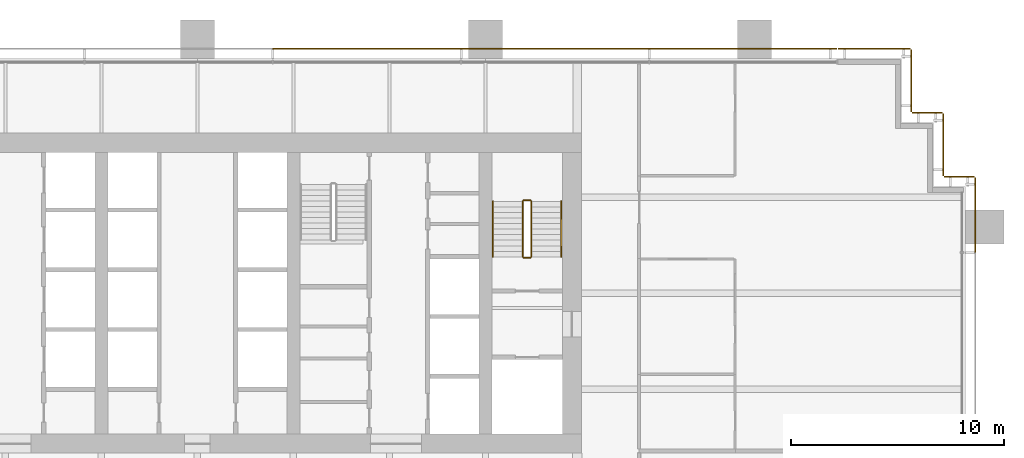
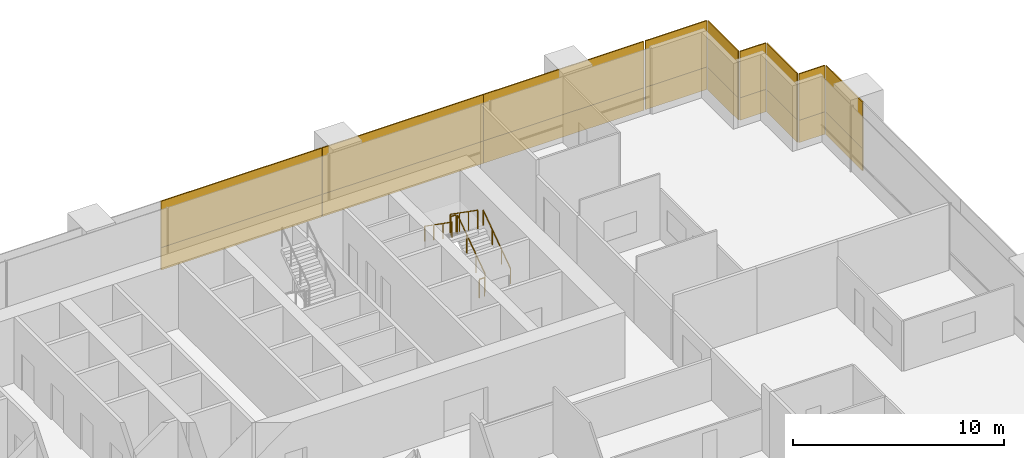
# One storey, part 19 of 19: 18 coverings, 6 railings.
"""IFC4 building model written with IfcOpenShell, lengths in metres."""

from ifc_helpers import new_model, si_unit, direction, frame, origin, origin_2d, place, context, subcontext, project, spatial, rectangle, extrude, material, layer, layer_set, type_object, element, save


model = new_model("IFC4")

# Units and contexts
model_context = context("Model", 3, precision=1e-05, world=origin(), true_north=direction((0.0, 1.0)))
body_context = subcontext(model_context, "Body", "Model", "MODEL_VIEW")
ifc_project = project(units=[si_unit("LENGTHUNIT", "METRE"), si_unit("AREAUNIT", "SQUARE_METRE"), si_unit("VOLUMEUNIT", "CUBIC_METRE"), si_unit("PLANEANGLEUNIT", "RADIAN"), si_unit("MASSUNIT", "GRAM", prefix="KILO")], contexts=[model_context])

# Site, building, storey
site_placement = place(None, origin())
site = spatial("IfcSite", under=ifc_project, at=site_placement, CompositionType="ELEMENT")
building_placement = place(site_placement, origin())
building = spatial("IfcBuilding", under=site, at=building_placement, Name="Rattan Terrace Tower", CompositionType="ELEMENT")
storey_placement = place(building_placement, frame((0.0, 0.0, 99.699951171875)))
storey = spatial("IfcBuildingStorey", under=building, at=storey_placement, Name="L22", CompositionType="ELEMENT", Elevation=99.699951171875)

# Railings
ifc_material_1 = material(Name="Powder-coated steel guard", Category="steel")
railing_type_1 = type_object("IfcRailingType", Name="Core stair guard", PredefinedType="GUARDRAIL", material=ifc_material_1)
railing_1_placement = place(storey_placement, frame((15.64990234375, 1.699951171875, 0.181884765625)))
element("IfcRailing", 1, at=railing_1_placement, inside=storey, type_object=railing_type_1, Name="L22 S2 stair guard 1", PredefinedType="GUARDRAIL", context=body_context, shape_type="SweptSolid", body=[
    extrude(rectangle(XDim=0.048095703125, YDim=0.048095703125, at=origin_2d()), frame((0.0, 0.0, 1.076171875), z_axis=(0.0, 0.819521025635, 0.573049115296), x_axis=(-1.0, 0.0, 0.0)), (0.0, 0.0, 1.0), 3.172607421875),
    extrude(rectangle(XDim=0.0419921875, YDim=0.0419921875, at=origin_2d()), origin(), (0.0, 0.0, 1.0), 1.052001953125),
    extrude(rectangle(XDim=0.0419921875, YDim=0.0419921875, at=origin_2d()), frame((0.0, 0.86669921875, 0.60595703125)), (0.0, 0.0, 1.0), 1.052001953125),
    extrude(rectangle(XDim=0.0419921875, YDim=0.0419921875, at=origin_2d()), frame((0.0, 1.7333984375, 1.212158203125)), (0.0, 0.0, 1.0), 1.052001953125),
    extrude(rectangle(XDim=0.0419921875, YDim=0.0419921875, at=origin_2d()), frame((0.0, 2.60009765625, 1.818115234375)), (0.0, 0.0, 1.0), 1.052001953125),
])
railing_2_placement = place(storey_placement, frame((15.60009765625, 4.35009765625, 2.0)))
element("IfcRailing", 2, at=railing_2_placement, inside=storey, type_object=railing_type_1, Name="L22 S2 stair guard 2", PredefinedType="GUARDRAIL", context=body_context, shape_type="SweptSolid", body=[
    extrude(rectangle(XDim=0.048095703125, YDim=0.048095703125, at=origin_2d()), frame((0.0, 0.0, 1.076171875), z_axis=(-1.0, 0.0, 0.0), x_axis=(0.0, -1.0, 0.0)), (0.0, 0.0, 1.0), 0.300048828125),
    extrude(rectangle(XDim=0.0419921875, YDim=0.0419921875, at=origin_2d()), origin(), (0.0, 0.0, 1.0), 1.052001953125),
    extrude(rectangle(XDim=0.0419921875, YDim=0.0419921875, at=origin_2d()), frame((-0.300048828125, 0.0, 0.0)), (0.0, 0.0, 1.0), 1.052001953125),
])
railing_3_placement = place(storey_placement, frame((15.25, 4.300048828125, 2.181884765625)))
element("IfcRailing", 3, at=railing_3_placement, inside=storey, type_object=railing_type_1, Name="L22 S2 stair guard 3", PredefinedType="GUARDRAIL", context=body_context, shape_type="SweptSolid", body=[
    extrude(rectangle(XDim=0.048095703125, YDim=0.048095703125, at=origin_2d()), frame((0.0, 0.0, 1.076171875), z_axis=(0.0, -0.819521025635, 0.573049115296), x_axis=(1.0, 0.0, 0.0)), (0.0, 0.0, 1.0), 3.172607421875),
    extrude(rectangle(XDim=0.0419921875, YDim=0.0419921875, at=origin_2d()), origin(), (0.0, 0.0, 1.0), 1.052001953125),
    extrude(rectangle(XDim=0.0419921875, YDim=0.0419921875, at=origin_2d()), frame((0.0, -0.86669921875, 0.60595703125)), (0.0, 0.0, 1.0), 1.052001953125),
    extrude(rectangle(XDim=0.0419921875, YDim=0.0419921875, at=origin_2d()), frame((0.0, -1.7333984375, 1.212158203125)), (0.0, 0.0, 1.0), 1.052001953125),
    extrude(rectangle(XDim=0.0419921875, YDim=0.0419921875, at=origin_2d()), frame((0.0, -2.60009765625, 1.818115234375)), (0.0, 0.0, 1.0), 1.052001953125),
])
railing_4_placement = place(storey_placement, frame((15.60009765625, 1.64990234375, 0.0)))
element("IfcRailing", 4, at=railing_4_placement, inside=storey, type_object=railing_type_1, Name="L22 S2 stair guard 4", PredefinedType="GUARDRAIL", context=body_context, shape_type="SweptSolid", body=[
    extrude(rectangle(XDim=0.048095703125, YDim=0.048095703125, at=origin_2d()), frame((0.0, 0.0, 1.076171875), z_axis=(-1.0, 0.0, 0.0), x_axis=(0.0, -1.0, 0.0)), (0.0, 0.0, 1.0), 0.300048828125),
    extrude(rectangle(XDim=0.0419921875, YDim=0.0419921875, at=origin_2d()), origin(), (0.0, 0.0, 1.0), 1.052001953125),
    extrude(rectangle(XDim=0.0419921875, YDim=0.0419921875, at=origin_2d()), frame((-0.300048828125, 0.0, 0.0)), (0.0, 0.0, 1.0), 1.052001953125),
])
ifc_material_2 = material(Name="Powder-coated steel handrail", Category="steel")
railing_type_2 = type_object("IfcRailingType", Name="Core stair handrail", PredefinedType="HANDRAIL", material=ifc_material_2)
railing_5_placement = place(storey_placement, frame((17.050048828125, 1.699951171875, 0.181884765625)))
element("IfcRailing", 5, at=railing_5_placement, inside=storey, type_object=railing_type_2, Name="L22 S2 stair handrail 1", PredefinedType="HANDRAIL", context=body_context, shape_type="SweptSolid", body=[
    extrude(rectangle(XDim=0.048095703125, YDim=0.048095703125, at=origin_2d()), frame((0.0, 0.0, 0.8759765625), z_axis=(0.0, 0.819521025635, 0.573049115296), x_axis=(-1.0, 0.0, 0.0)), (0.0, 0.0, 1.0), 3.172607421875),
    extrude(rectangle(XDim=0.0419921875, YDim=0.0419921875, at=origin_2d()), origin(), (0.0, 0.0, 1.0), 0.851806640625),
    extrude(rectangle(XDim=0.0419921875, YDim=0.0419921875, at=origin_2d()), frame((0.0, 0.86669921875, 0.60595703125)), (0.0, 0.0, 1.0), 0.851806640625),
    extrude(rectangle(XDim=0.0419921875, YDim=0.0419921875, at=origin_2d()), frame((0.0, 1.7333984375, 1.212158203125)), (0.0, 0.0, 1.0), 0.851806640625),
    extrude(rectangle(XDim=0.0419921875, YDim=0.0419921875, at=origin_2d()), frame((0.0, 2.60009765625, 1.818115234375)), (0.0, 0.0, 1.0), 0.851806640625),
])
railing_6_placement = place(storey_placement, frame((13.85009765625, 4.300048828125, 2.181884765625)))
element("IfcRailing", 6, at=railing_6_placement, inside=storey, type_object=railing_type_2, Name="L22 S2 stair handrail 2", PredefinedType="HANDRAIL", context=body_context, shape_type="SweptSolid", body=[
    extrude(rectangle(XDim=0.048095703125, YDim=0.048095703125, at=origin_2d()), frame((0.0, 0.0, 0.8759765625), z_axis=(0.0, -0.819521025635, 0.573049115296), x_axis=(1.0, 0.0, 0.0)), (0.0, 0.0, 1.0), 3.172607421875),
    extrude(rectangle(XDim=0.0419921875, YDim=0.0419921875, at=origin_2d()), origin(), (0.0, 0.0, 1.0), 0.851806640625),
    extrude(rectangle(XDim=0.0419921875, YDim=0.0419921875, at=origin_2d()), frame((0.0, -0.86669921875, 0.60595703125)), (0.0, 0.0, 1.0), 0.851806640625),
    extrude(rectangle(XDim=0.0419921875, YDim=0.0419921875, at=origin_2d()), frame((0.0, -1.7333984375, 1.212158203125)), (0.0, 0.0, 1.0), 0.851806640625),
    extrude(rectangle(XDim=0.0419921875, YDim=0.0419921875, at=origin_2d()), frame((0.0, -2.60009765625, 1.818115234375)), (0.0, 0.0, 1.0), 0.851806640625),
])

# Coverings
ifc_material_3 = material(Name="Solid terracotta", Category="masonry")
ifc_layer_1 = layer(ifc_material_3, 0.06005859375)
ifc_layer_set_1 = layer_set([ifc_layer_1], Name="Facade Terracotta Band Panel")
covering_type_1 = type_object("IfcCoveringType", Name="Facade Terracotta Band Panel", PredefinedType="CLADDING", material=ifc_layer_set_1)
covering_1_placement = place(storey_placement, frame((36.449951171875, 3.659912109375, -0.18994140625), z_axis=(0.0, 0.0, 1.0), x_axis=(0.0, 1.0, 0.0)))
element("IfcCovering", 7, at=covering_1_placement, inside=storey, type_object=covering_type_1, Name="OUTER SKIN panel L22-9A", PredefinedType="CLADDING", context=body_context, shape_type="SweptSolid", body=[
    extrude(rectangle(XDim=3.5, YDim=0.06005859375, at=origin_2d()), origin(), (0.0, 0.0, 1.0), 1.300048828125),
])
covering_2_placement = place(storey_placement, frame((35.699951171875, 5.449951171875, -0.18994140625), z_axis=(0.0, 0.0, 1.0), x_axis=(-1.0, 0.0, 0.0)))
element("IfcCovering", 8, at=covering_2_placement, inside=storey, type_object=covering_type_1, Name="OUTER SKIN panel L22-10A", PredefinedType="CLADDING", context=body_context, shape_type="SweptSolid", body=[
    extrude(rectangle(XDim=1.419921875, YDim=0.06005859375, at=origin_2d()), origin(), (0.0, 0.0, 1.0), 1.300048828125),
])
covering_3_placement = place(storey_placement, frame((34.949951171875, 6.949951171875, -0.18994140625), z_axis=(0.0, 0.0, 1.0), x_axis=(0.0, 1.0, 0.0)))
element("IfcCovering", 9, at=covering_3_placement, inside=storey, type_object=covering_type_1, Name="OUTER SKIN panel L22-11A", PredefinedType="CLADDING", context=body_context, shape_type="SweptSolid", body=[
    extrude(rectangle(XDim=2.919921875, YDim=0.06005859375, at=origin_2d()), origin(), (0.0, 0.0, 1.0), 1.300048828125),
])
covering_4_placement = place(storey_placement, frame((34.199951171875, 8.449951171875, -0.18994140625), z_axis=(0.0, 0.0, 1.0), x_axis=(-1.0, 0.0, 0.0)))
element("IfcCovering", 10, at=covering_4_placement, inside=storey, type_object=covering_type_1, Name="OUTER SKIN panel L22-12A", PredefinedType="CLADDING", context=body_context, shape_type="SweptSolid", body=[
    extrude(rectangle(XDim=1.419921875, YDim=0.06005859375, at=origin_2d()), origin(), (0.0, 0.0, 1.0), 1.300048828125),
])
covering_5_placement = place(storey_placement, frame((33.449951171875, 9.949951171875, -0.18994140625), z_axis=(0.0, 0.0, 1.0), x_axis=(0.0, 1.0, 0.0)))
element("IfcCovering", 11, at=covering_5_placement, inside=storey, type_object=covering_type_1, Name="OUTER SKIN panel L22-13A", PredefinedType="CLADDING", context=body_context, shape_type="SweptSolid", body=[
    extrude(rectangle(XDim=2.919921875, YDim=0.06005859375, at=origin_2d()), origin(), (0.0, 0.0, 1.0), 1.300048828125),
])
covering_6_placement = place(storey_placement, frame((31.72509765625, 11.449951171875, -0.18994140625), z_axis=(0.0, 0.0, 1.0), x_axis=(-1.0, 0.0, 0.0)))
element("IfcCovering", 12, at=covering_6_placement, inside=storey, type_object=covering_type_1, Name="OUTER SKIN panel L22-14A", PredefinedType="CLADDING", context=body_context, shape_type="SweptSolid", body=[
    extrude(rectangle(XDim=3.3701171875, YDim=0.06005859375, at=origin_2d()), origin(), (0.0, 0.0, 1.0), 1.300048828125),
])
covering_7_placement = place(storey_placement, frame((25.573486328125, 11.449951171875, -0.18994140625), z_axis=(0.0, 0.0, 1.0), x_axis=(-1.0, 0.0, 0.0)))
element("IfcCovering", 13, at=covering_7_placement, inside=storey, type_object=covering_type_1, Name="OUTER SKIN panel L22-15A", PredefinedType="CLADDING", context=body_context, shape_type="SweptSolid", body=[
    extrude(rectangle(XDim=8.77294921875, YDim=0.06005859375, at=origin_2d()), origin(), (0.0, 0.0, 1.0), 1.300048828125),
])
for number, where, z_axis, x_axis, name in (
    (14, (16.765380859375, 11.449951171875, -0.18994140625), (0.0, 0.0, 1.0), (-1.0, 0.0, 0.0), "OUTER SKIN panel L22-16A"),
    (15, (7.9423828125, 11.449951171875, -0.18994140625), (0.0, 0.0, 1.0), (-1.0, 0.0, 0.0), "OUTER SKIN panel L22-17A"),
):
    element("IfcCovering", number, at=place(storey_placement, frame(where, z_axis=z_axis, x_axis=x_axis)), inside=storey, type_object=covering_type_1, Name=name, PredefinedType="CLADDING", context=body_context, shape_type="SweptSolid", body=[
        extrude(rectangle(XDim=8.802978515625, YDim=0.06005859375, at=origin_2d()), origin(), (0.0, 0.0, 1.0), 1.300048828125),
    ])
ifc_material_4 = material(Name="Perforated terracotta", Category="masonry")
ifc_layer_2 = layer(ifc_material_4, 0.06005859375)
ifc_layer_set_2 = layer_set([ifc_layer_2], Name="Facade Terracotta Screen Panel")
covering_type_2 = type_object("IfcCoveringType", Name="Facade Terracotta Screen Panel", PredefinedType="CLADDING", material=ifc_layer_set_2)
covering_8_placement = place(storey_placement, frame((36.449951171875, 3.659912109375, 1.10986328125), z_axis=(0.0, 0.0, 1.0), x_axis=(0.0, 1.0, 0.0)))
element("IfcCovering", 16, at=covering_8_placement, inside=storey, type_object=covering_type_2, Name="OUTER SKIN panel L22-9B", PredefinedType="CLADDING", context=body_context, shape_type="SweptSolid", body=[
    extrude(rectangle(XDim=3.5, YDim=0.06005859375, at=origin_2d()), origin(), (0.0, 0.0, 1.0), 2.679931640625),
])
covering_9_placement = place(storey_placement, frame((35.699951171875, 5.449951171875, 1.10986328125), z_axis=(0.0, 0.0, 1.0), x_axis=(-1.0, 0.0, 0.0)))
element("IfcCovering", 17, at=covering_9_placement, inside=storey, type_object=covering_type_2, Name="OUTER SKIN panel L22-10B", PredefinedType="CLADDING", context=body_context, shape_type="SweptSolid", body=[
    extrude(rectangle(XDim=1.419921875, YDim=0.06005859375, at=origin_2d()), origin(), (0.0, 0.0, 1.0), 2.679931640625),
])
covering_10_placement = place(storey_placement, frame((34.949951171875, 6.949951171875, 1.10986328125), z_axis=(0.0, 0.0, 1.0), x_axis=(0.0, 1.0, 0.0)))
element("IfcCovering", 18, at=covering_10_placement, inside=storey, type_object=covering_type_2, Name="OUTER SKIN panel L22-11B", PredefinedType="CLADDING", context=body_context, shape_type="SweptSolid", body=[
    extrude(rectangle(XDim=2.919921875, YDim=0.06005859375, at=origin_2d()), origin(), (0.0, 0.0, 1.0), 2.679931640625),
])
covering_11_placement = place(storey_placement, frame((34.199951171875, 8.449951171875, 1.10986328125), z_axis=(0.0, 0.0, 1.0), x_axis=(-1.0, 0.0, 0.0)))
element("IfcCovering", 19, at=covering_11_placement, inside=storey, type_object=covering_type_2, Name="OUTER SKIN panel L22-12B", PredefinedType="CLADDING", context=body_context, shape_type="SweptSolid", body=[
    extrude(rectangle(XDim=1.419921875, YDim=0.06005859375, at=origin_2d()), origin(), (0.0, 0.0, 1.0), 2.679931640625),
])
covering_12_placement = place(storey_placement, frame((33.449951171875, 9.949951171875, 1.10986328125), z_axis=(0.0, 0.0, 1.0), x_axis=(0.0, 1.0, 0.0)))
element("IfcCovering", 20, at=covering_12_placement, inside=storey, type_object=covering_type_2, Name="OUTER SKIN panel L22-13B", PredefinedType="CLADDING", context=body_context, shape_type="SweptSolid", body=[
    extrude(rectangle(XDim=2.919921875, YDim=0.06005859375, at=origin_2d()), origin(), (0.0, 0.0, 1.0), 2.679931640625),
])
covering_13_placement = place(storey_placement, frame((31.72509765625, 11.449951171875, 1.10986328125), z_axis=(0.0, 0.0, 1.0), x_axis=(-1.0, 0.0, 0.0)))
element("IfcCovering", 21, at=covering_13_placement, inside=storey, type_object=covering_type_2, Name="OUTER SKIN panel L22-14B", PredefinedType="CLADDING", context=body_context, shape_type="SweptSolid", body=[
    extrude(rectangle(XDim=3.3701171875, YDim=0.06005859375, at=origin_2d()), origin(), (0.0, 0.0, 1.0), 2.679931640625),
])
covering_14_placement = place(storey_placement, frame((25.573486328125, 11.449951171875, 1.10986328125), z_axis=(0.0, 0.0, 1.0), x_axis=(-1.0, 0.0, 0.0)))
element("IfcCovering", 22, at=covering_14_placement, inside=storey, type_object=covering_type_2, Name="OUTER SKIN panel L22-15B", PredefinedType="CLADDING", context=body_context, shape_type="SweptSolid", body=[
    extrude(rectangle(XDim=8.77294921875, YDim=0.06005859375, at=origin_2d()), origin(), (0.0, 0.0, 1.0), 2.679931640625),
])
for number, where, z_axis, x_axis, name in (
    (23, (16.765380859375, 11.449951171875, 1.10986328125), (0.0, 0.0, 1.0), (-1.0, 0.0, 0.0), "OUTER SKIN panel L22-16B"),
    (24, (7.9423828125, 11.449951171875, 1.10986328125), (0.0, 0.0, 1.0), (-1.0, 0.0, 0.0), "OUTER SKIN panel L22-17B"),
):
    element("IfcCovering", number, at=place(storey_placement, frame(where, z_axis=z_axis, x_axis=x_axis)), inside=storey, type_object=covering_type_2, Name=name, PredefinedType="CLADDING", context=body_context, shape_type="SweptSolid", body=[
        extrude(rectangle(XDim=8.802978515625, YDim=0.06005859375, at=origin_2d()), origin(), (0.0, 0.0, 1.0), 2.679931640625),
    ])

save(model, "model.ifc")
